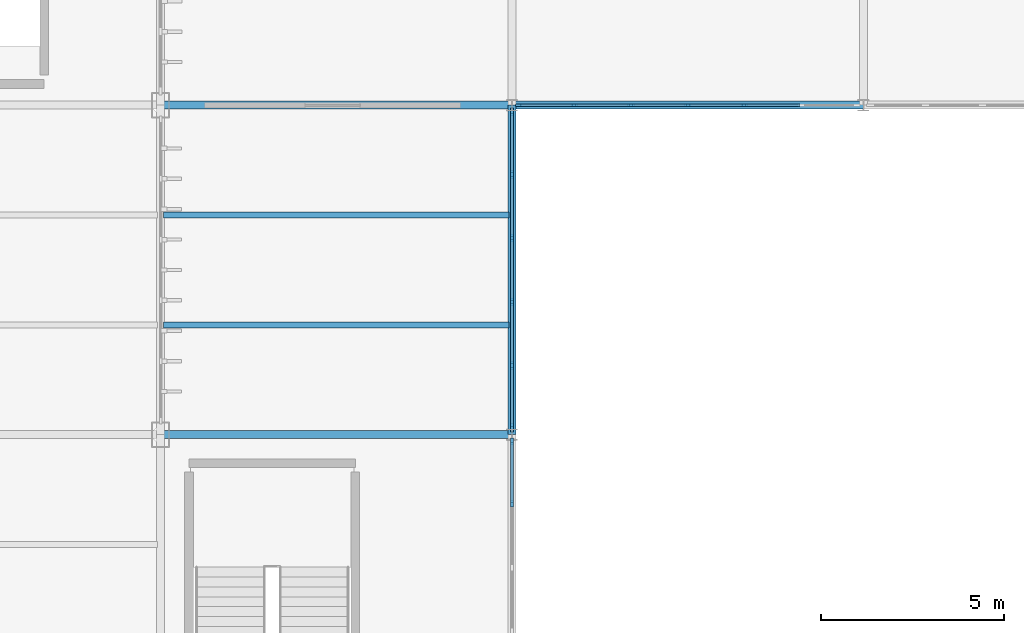
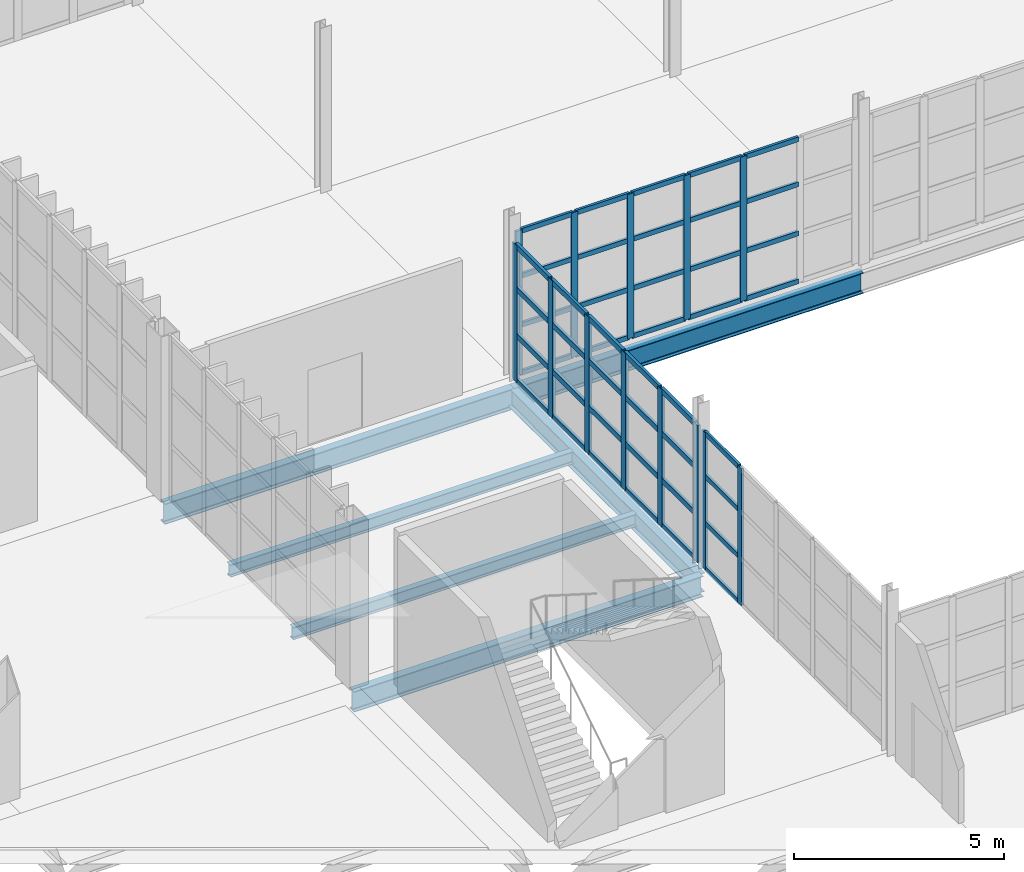
# One storey, part 62 of 120: 57 members, 6 beams, 3 elements without a shape of their own.
"""IFC4 building model written with IfcOpenShell, lengths in metres."""

from ifc_helpers import new_model, si_unit, direction, frame, origin, origin_2d, place, context, subcontext, project, spatial, rectangle, i_section, extrude, material, layer, layer_set, material_profile, profile_set, type_object, element, aggregate, save


model = new_model("IFC4")

# Units and contexts
model_context = context("Model", 3, precision=1e-05, world=origin(), true_north=direction((0.0, 1.0)))
body_context = subcontext(model_context, "Body", "Model", "MODEL_VIEW")
ifc_project = project(units=[si_unit("LENGTHUNIT", "METRE"), si_unit("AREAUNIT", "SQUARE_METRE"), si_unit("VOLUMEUNIT", "CUBIC_METRE"), si_unit("PLANEANGLEUNIT", "RADIAN"), si_unit("MASSUNIT", "GRAM", prefix="KILO")], contexts=[model_context])

# Site, building, storey
site_placement = place(None, origin())
site = spatial("IfcSite", under=ifc_project, at=site_placement, CompositionType="ELEMENT")
building_placement = place(site_placement, origin())
building = spatial("IfcBuilding", under=site, at=building_placement, Name="Zarnetskaya Central Station", CompositionType="ELEMENT")
storey_placement = place(building_placement, frame((0.0, 0.0, 5.39990234375)))
storey = spatial("IfcBuildingStorey", under=building, at=storey_placement, Name="L01", CompositionType="ELEMENT", Elevation=5.39990234375)

# Beams
ifc_material_1 = material(Name="Steel S355", Category="steel")
ifc_material_profile_1 = material_profile(ifc_material_1, i_section(OverallWidth=0.169921875, OverallDepth=0.360107421875, WebThickness=0.008056640625, FlangeThickness=0.0126953125, FilletRadius=0.01806640625, at=origin_2d()), Name="IPE 360")
ifc_profile_set_1 = profile_set([ifc_material_profile_1], Name="Steel S355")
beam_type_1 = type_object("IfcBeamType", Name="BM-SEC-360", PredefinedType="BEAM", material=ifc_profile_set_1)
for number, where, z_axis, x_axis, name in (
    (1, (124.8798828125, 25.199951171875, -0.4599609375), (1.0, 0.0, 0.0), (0.0, 1.0, 0.0), "Secondary floor beam SEC-L01-Z512-PQ-45-1"),
    (2, (124.8798828125, 28.199951171875, -0.4599609375), (1.0, 0.0, 0.0), (0.0, 1.0, 0.0), "Secondary floor beam SEC-L01-Z512-PQ-45-2"),
):
    element("IfcBeam", number, at=place(storey_placement, frame(where, z_axis=z_axis, x_axis=x_axis)), inside=storey, type_object=beam_type_1, Name=name, PredefinedType="BEAM", context=body_context, shape_type="SweptSolid", body=[
        extrude(i_section(OverallWidth=0.169921875, OverallDepth=0.360107421875, WebThickness=0.008056640625, FlangeThickness=0.0126953125, FilletRadius=0.01806640625, at=origin_2d()), origin(), (0.0, 0.0, 1.0), 9.440185546875),
    ])

# Curtain wall, members
ifc_material_2 = material(Name="Low-E insulated glass", Category="glass")
ifc_layer = layer(ifc_material_2, 0.159912109375, Name="Low-E insulated glass", Category="glass")
ifc_layer_set = layer_set([ifc_layer], Name="Low-E insulated glass")
curtain_wall_type = type_object("IfcCurtainWallType", Name="CW-SYS-06", PredefinedType="USERDEFINED", material=ifc_layer_set)
curtain_wall_1_placement = place(storey_placement, origin())
curtain_wall_1 = element("IfcCurtainWall", 3, at=curtain_wall_1_placement, inside=storey, type_object=curtain_wall_type, Name="Curtain wall CW-L01-131", ObjectType="CURTAIN WALL", PredefinedType="USERDEFINED")
ifc_material_3 = material(Name="Anodised aluminium", Category="aluminium")
ifc_material_profile_2 = material_profile(ifc_material_3, rectangle(XDim=0.070068359375, YDim=0.179931640625, at=origin_2d()), Name="ALU MULL 70x180")
ifc_profile_set_2 = profile_set([ifc_material_profile_2], Name="Anodised aluminium")
member_type_1 = type_object("IfcMemberType", Name="CW-MULL-180", PredefinedType="MULLION", material=ifc_profile_set_2)
member_1_placement = place(storey_placement, frame((140.75, 31.199951171875, 0.0), z_axis=(0.0, 0.0, 1.0), x_axis=(0.0, -1.0, 0.0)))
member_1 = element("IfcMember", 4, at=member_1_placement, type_object=member_type_1, Name="CW-02 mullion 3", PredefinedType="MULLION", context=body_context, shape_type="SweptSolid", body=[
    extrude(rectangle(XDim=0.070068359375, YDim=0.179931640625, at=origin_2d()), origin(), (0.0, 0.0, 1.0), 4.2001953125),
])
member_2_placement = place(storey_placement, frame((139.199951171875, 31.199951171875, 0.0), z_axis=(0.0, 0.0, 1.0), x_axis=(0.0, -1.0, 0.0)))
member_2 = element("IfcMember", 5, at=member_2_placement, type_object=member_type_1, Name="CW-02 mullion 4", PredefinedType="MULLION", context=body_context, shape_type="SweptSolid", body=[
    extrude(rectangle(XDim=0.070068359375, YDim=0.179931640625, at=origin_2d()), origin(), (0.0, 0.0, 1.0), 4.2001953125),
])
member_3_placement = place(storey_placement, frame((137.64990234375, 31.199951171875, 0.0), z_axis=(0.0, 0.0, 1.0), x_axis=(0.0, -1.0, 0.0)))
member_3 = element("IfcMember", 6, at=member_3_placement, type_object=member_type_1, Name="CW-02 mullion 5", PredefinedType="MULLION", context=body_context, shape_type="SweptSolid", body=[
    extrude(rectangle(XDim=0.070068359375, YDim=0.179931640625, at=origin_2d()), origin(), (0.0, 0.0, 1.0), 4.2001953125),
])
member_4_placement = place(storey_placement, frame((136.10009765625, 31.199951171875, 0.0), z_axis=(0.0, 0.0, 1.0), x_axis=(0.0, -1.0, 0.0)))
member_4 = element("IfcMember", 7, at=member_4_placement, type_object=member_type_1, Name="CW-02 mullion 6", PredefinedType="MULLION", context=body_context, shape_type="SweptSolid", body=[
    extrude(rectangle(XDim=0.070068359375, YDim=0.179931640625, at=origin_2d()), origin(), (0.0, 0.0, 1.0), 4.2001953125),
])
member_5_placement = place(storey_placement, frame((134.5849609375, 31.199951171875, 0.0), z_axis=(0.0, 0.0, 1.0), x_axis=(0.0, -1.0, 0.0)))
member_5 = element("IfcMember", 8, at=member_5_placement, type_object=member_type_1, Name="CW-02 mullion 7", PredefinedType="MULLION", context=body_context, shape_type="SweptSolid", body=[
    extrude(rectangle(XDim=0.070068359375, YDim=0.179931640625, at=origin_2d()), origin(), (0.0, 0.0, 1.0), 4.2001953125),
])

curtain_wall_2_placement = place(storey_placement, origin())
curtain_wall_2 = element("IfcCurtainWall", 9, at=curtain_wall_2_placement, inside=storey, type_object=curtain_wall_type, Name="Curtain wall CW-L01-133", ObjectType="CURTAIN WALL", PredefinedType="USERDEFINED")
member_6_placement = place(storey_placement, frame((134.39990234375, 22.014892578125, 0.0), z_axis=(0.0, 0.0, 1.0), x_axis=(1.0, 0.0, 0.0)))
member_6 = element("IfcMember", 10, at=member_6_placement, type_object=member_type_1, Name="CW-02 mullion 1", PredefinedType="MULLION", context=body_context, shape_type="SweptSolid", body=[
    extrude(rectangle(XDim=0.070068359375, YDim=0.179931640625, at=origin_2d()), origin(), (0.0, 0.0, 1.0), 3.989990234375),
])
member_7_placement = place(storey_placement, frame((134.39990234375, 20.31005859375, 0.0), z_axis=(0.0, 0.0, 1.0), x_axis=(1.0, 0.0, 0.0)))
member_7 = element("IfcMember", 11, at=member_7_placement, type_object=member_type_1, Name="CW-02 mullion 2", PredefinedType="MULLION", context=body_context, shape_type="SweptSolid", body=[
    extrude(rectangle(XDim=0.070068359375, YDim=0.179931640625, at=origin_2d()), origin(), (0.0, 0.0, 1.0), 3.989990234375),
])

curtain_wall_3_placement = place(storey_placement, origin())
curtain_wall_3 = element("IfcCurtainWall", 12, at=curtain_wall_3_placement, inside=storey, type_object=curtain_wall_type, Name="Curtain wall CW-L01-132", ObjectType="CURTAIN WALL", PredefinedType="USERDEFINED")
ifc_material_profile_3 = material_profile(ifc_material_3, rectangle(XDim=0.080078125, YDim=0.219970703125, at=origin_2d()), Name="ALU MULL 80x220")
ifc_profile_set_3 = profile_set([ifc_material_profile_3], Name="Anodised aluminium")
member_type_2 = type_object("IfcMemberType", Name="CW-MULL-220", PredefinedType="MULLION", material=ifc_profile_set_3)
member_8_placement = place(storey_placement, frame((134.39990234375, 31.010009765625, 0.0), z_axis=(0.0, 0.0, 1.0), x_axis=(1.0, 0.0, 0.0)))
member_8 = element("IfcMember", 13, at=member_8_placement, type_object=member_type_2, Name="CW-02 mullion 1", PredefinedType="MULLION", context=body_context, shape_type="SweptSolid", body=[
    extrude(rectangle(XDim=0.080078125, YDim=0.219970703125, at=origin_2d()), origin(), (0.0, 0.0, 1.0), 3.989990234375),
])
member_9_placement = place(storey_placement, frame((134.39990234375, 29.31005859375, 0.0), z_axis=(0.0, 0.0, 1.0), x_axis=(1.0, 0.0, 0.0)))
member_9 = element("IfcMember", 14, at=member_9_placement, type_object=member_type_2, Name="CW-02 mullion 2", PredefinedType="MULLION", context=body_context, shape_type="SweptSolid", body=[
    extrude(rectangle(XDim=0.080078125, YDim=0.219970703125, at=origin_2d()), origin(), (0.0, 0.0, 1.0), 3.989990234375),
])
member_10_placement = place(storey_placement, frame((134.39990234375, 27.570068359375, 0.0), z_axis=(0.0, 0.0, 1.0), x_axis=(1.0, 0.0, 0.0)))
member_10 = element("IfcMember", 15, at=member_10_placement, type_object=member_type_2, Name="CW-02 mullion 3", PredefinedType="MULLION", context=body_context, shape_type="SweptSolid", body=[
    extrude(rectangle(XDim=0.080078125, YDim=0.219970703125, at=origin_2d()), origin(), (0.0, 0.0, 1.0), 3.989990234375),
])
member_11_placement = place(storey_placement, frame((134.39990234375, 25.830078125, 0.0), z_axis=(0.0, 0.0, 1.0), x_axis=(1.0, 0.0, 0.0)))
member_11 = element("IfcMember", 16, at=member_11_placement, type_object=member_type_2, Name="CW-02 mullion 4", PredefinedType="MULLION", context=body_context, shape_type="SweptSolid", body=[
    extrude(rectangle(XDim=0.080078125, YDim=0.219970703125, at=origin_2d()), origin(), (0.0, 0.0, 1.0), 3.989990234375),
])
member_12_placement = place(storey_placement, frame((134.39990234375, 24.090087890625, 0.0), z_axis=(0.0, 0.0, 1.0), x_axis=(1.0, 0.0, 0.0)))
member_12 = element("IfcMember", 17, at=member_12_placement, type_object=member_type_2, Name="CW-02 mullion 5", PredefinedType="MULLION", context=body_context, shape_type="SweptSolid", body=[
    extrude(rectangle(XDim=0.080078125, YDim=0.219970703125, at=origin_2d()), origin(), (0.0, 0.0, 1.0), 3.989990234375),
])
member_13_placement = place(storey_placement, frame((134.39990234375, 22.389892578125, 0.0), z_axis=(0.0, 0.0, 1.0), x_axis=(1.0, 0.0, 0.0)))
member_13 = element("IfcMember", 18, at=member_13_placement, type_object=member_type_2, Name="CW-02 mullion 6", PredefinedType="MULLION", context=body_context, shape_type="SweptSolid", body=[
    extrude(rectangle(XDim=0.080078125, YDim=0.219970703125, at=origin_2d()), origin(), (0.0, 0.0, 1.0), 3.989990234375),
])

# Member
ifc_material_profile_4 = material_profile(ifc_material_3, rectangle(XDim=0.070068359375, YDim=0.139892578125, at=origin_2d()), Name="ALU TRAN 70x140")
ifc_profile_set_4 = profile_set([ifc_material_profile_4], Name="Anodised aluminium")
member_type_3 = type_object("IfcMemberType", Name="CW-TRAN-140", PredefinedType="USERDEFINED", material=ifc_profile_set_4)
member_14_placement = place(storey_placement, frame((142.264892578125, 31.199951171875, 0.03515625), z_axis=(-1.0, 0.0, 0.0), x_axis=(0.0, -1.0, 0.0)))
member_14 = element("IfcMember", 19, at=member_14_placement, type_object=member_type_3, Name="CW-02 transom 2.1", ObjectType="TRANSOM", PredefinedType="USERDEFINED", context=body_context, shape_type="SweptSolid", body=[
    extrude(rectangle(XDim=0.070068359375, YDim=0.139892578125, at=origin_2d()), origin(), (0.0, 0.0, 1.0), 1.47998046875),
])

member_15_placement = place(storey_placement, frame((142.264892578125, 31.199951171875, 1.427978515625), z_axis=(-1.0, 0.0, 0.0), x_axis=(0.0, -1.0, 0.0)))
member_15 = element("IfcMember", 20, at=member_15_placement, type_object=member_type_3, Name="CW-02 transom 2.2", ObjectType="TRANSOM", PredefinedType="USERDEFINED", context=body_context, shape_type="SweptSolid", body=[
    extrude(rectangle(XDim=0.070068359375, YDim=0.139892578125, at=origin_2d()), origin(), (0.0, 0.0, 1.0), 1.47998046875),
])

member_16_placement = place(storey_placement, frame((142.264892578125, 31.199951171875, 2.856201171875), z_axis=(-1.0, 0.0, 0.0), x_axis=(0.0, -1.0, 0.0)))
member_16 = element("IfcMember", 21, at=member_16_placement, type_object=member_type_3, Name="CW-02 transom 2.3", ObjectType="TRANSOM", PredefinedType="USERDEFINED", context=body_context, shape_type="SweptSolid", body=[
    extrude(rectangle(XDim=0.070068359375, YDim=0.139892578125, at=origin_2d()), origin(), (0.0, 0.0, 1.0), 1.47998046875),
])

member_17_placement = place(storey_placement, frame((142.264892578125, 31.199951171875, 4.1650390625), z_axis=(-1.0, 0.0, 0.0), x_axis=(0.0, -1.0, 0.0)))
member_17 = element("IfcMember", 22, at=member_17_placement, type_object=member_type_3, Name="CW-02 transom 2.4", ObjectType="TRANSOM", PredefinedType="USERDEFINED", context=body_context, shape_type="SweptSolid", body=[
    extrude(rectangle(XDim=0.070068359375, YDim=0.139892578125, at=origin_2d()), origin(), (0.0, 0.0, 1.0), 1.47998046875),
])

member_18_placement = place(storey_placement, frame((140.715087890625, 31.199951171875, 0.03515625), z_axis=(-1.0, 0.0, 0.0), x_axis=(0.0, -1.0, 0.0)))
member_18 = element("IfcMember", 23, at=member_18_placement, type_object=member_type_3, Name="CW-02 transom 3.1", ObjectType="TRANSOM", PredefinedType="USERDEFINED", context=body_context, shape_type="SweptSolid", body=[
    extrude(rectangle(XDim=0.070068359375, YDim=0.139892578125, at=origin_2d()), origin(), (0.0, 0.0, 1.0), 1.47998046875),
])

member_19_placement = place(storey_placement, frame((140.715087890625, 31.199951171875, 1.427978515625), z_axis=(-1.0, 0.0, 0.0), x_axis=(0.0, -1.0, 0.0)))
member_19 = element("IfcMember", 24, at=member_19_placement, type_object=member_type_3, Name="CW-02 transom 3.2", ObjectType="TRANSOM", PredefinedType="USERDEFINED", context=body_context, shape_type="SweptSolid", body=[
    extrude(rectangle(XDim=0.070068359375, YDim=0.139892578125, at=origin_2d()), origin(), (0.0, 0.0, 1.0), 1.47998046875),
])

member_20_placement = place(storey_placement, frame((140.715087890625, 31.199951171875, 2.856201171875), z_axis=(-1.0, 0.0, 0.0), x_axis=(0.0, -1.0, 0.0)))
member_20 = element("IfcMember", 25, at=member_20_placement, type_object=member_type_3, Name="CW-02 transom 3.3", ObjectType="TRANSOM", PredefinedType="USERDEFINED", context=body_context, shape_type="SweptSolid", body=[
    extrude(rectangle(XDim=0.070068359375, YDim=0.139892578125, at=origin_2d()), origin(), (0.0, 0.0, 1.0), 1.47998046875),
])

member_21_placement = place(storey_placement, frame((140.715087890625, 31.199951171875, 4.1650390625), z_axis=(-1.0, 0.0, 0.0), x_axis=(0.0, -1.0, 0.0)))
member_21 = element("IfcMember", 26, at=member_21_placement, type_object=member_type_3, Name="CW-02 transom 3.4", ObjectType="TRANSOM", PredefinedType="USERDEFINED", context=body_context, shape_type="SweptSolid", body=[
    extrude(rectangle(XDim=0.070068359375, YDim=0.139892578125, at=origin_2d()), origin(), (0.0, 0.0, 1.0), 1.47998046875),
])

member_22_placement = place(storey_placement, frame((139.1650390625, 31.199951171875, 0.03515625), z_axis=(-1.0, 0.0, 0.0), x_axis=(0.0, -1.0, 0.0)))
member_22 = element("IfcMember", 27, at=member_22_placement, type_object=member_type_3, Name="CW-02 transom 4.1", ObjectType="TRANSOM", PredefinedType="USERDEFINED", context=body_context, shape_type="SweptSolid", body=[
    extrude(rectangle(XDim=0.070068359375, YDim=0.139892578125, at=origin_2d()), origin(), (0.0, 0.0, 1.0), 1.47998046875),
])

member_23_placement = place(storey_placement, frame((139.1650390625, 31.199951171875, 1.427978515625), z_axis=(-1.0, 0.0, 0.0), x_axis=(0.0, -1.0, 0.0)))
member_23 = element("IfcMember", 28, at=member_23_placement, type_object=member_type_3, Name="CW-02 transom 4.2", ObjectType="TRANSOM", PredefinedType="USERDEFINED", context=body_context, shape_type="SweptSolid", body=[
    extrude(rectangle(XDim=0.070068359375, YDim=0.139892578125, at=origin_2d()), origin(), (0.0, 0.0, 1.0), 1.47998046875),
])

member_24_placement = place(storey_placement, frame((139.1650390625, 31.199951171875, 2.856201171875), z_axis=(-1.0, 0.0, 0.0), x_axis=(0.0, -1.0, 0.0)))
member_24 = element("IfcMember", 29, at=member_24_placement, type_object=member_type_3, Name="CW-02 transom 4.3", ObjectType="TRANSOM", PredefinedType="USERDEFINED", context=body_context, shape_type="SweptSolid", body=[
    extrude(rectangle(XDim=0.070068359375, YDim=0.139892578125, at=origin_2d()), origin(), (0.0, 0.0, 1.0), 1.47998046875),
])

member_25_placement = place(storey_placement, frame((139.1650390625, 31.199951171875, 4.1650390625), z_axis=(-1.0, 0.0, 0.0), x_axis=(0.0, -1.0, 0.0)))
member_25 = element("IfcMember", 30, at=member_25_placement, type_object=member_type_3, Name="CW-02 transom 4.4", ObjectType="TRANSOM", PredefinedType="USERDEFINED", context=body_context, shape_type="SweptSolid", body=[
    extrude(rectangle(XDim=0.070068359375, YDim=0.139892578125, at=origin_2d()), origin(), (0.0, 0.0, 1.0), 1.47998046875),
])

member_26_placement = place(storey_placement, frame((137.614990234375, 31.199951171875, 0.03515625), z_axis=(-1.0, 0.0, 0.0), x_axis=(0.0, -1.0, 0.0)))
member_26 = element("IfcMember", 31, at=member_26_placement, type_object=member_type_3, Name="CW-02 transom 5.1", ObjectType="TRANSOM", PredefinedType="USERDEFINED", context=body_context, shape_type="SweptSolid", body=[
    extrude(rectangle(XDim=0.070068359375, YDim=0.139892578125, at=origin_2d()), origin(), (0.0, 0.0, 1.0), 1.47998046875),
])

member_27_placement = place(storey_placement, frame((137.614990234375, 31.199951171875, 1.427978515625), z_axis=(-1.0, 0.0, 0.0), x_axis=(0.0, -1.0, 0.0)))
member_27 = element("IfcMember", 32, at=member_27_placement, type_object=member_type_3, Name="CW-02 transom 5.2", ObjectType="TRANSOM", PredefinedType="USERDEFINED", context=body_context, shape_type="SweptSolid", body=[
    extrude(rectangle(XDim=0.070068359375, YDim=0.139892578125, at=origin_2d()), origin(), (0.0, 0.0, 1.0), 1.47998046875),
])

member_28_placement = place(storey_placement, frame((137.614990234375, 31.199951171875, 2.856201171875), z_axis=(-1.0, 0.0, 0.0), x_axis=(0.0, -1.0, 0.0)))
member_28 = element("IfcMember", 33, at=member_28_placement, type_object=member_type_3, Name="CW-02 transom 5.3", ObjectType="TRANSOM", PredefinedType="USERDEFINED", context=body_context, shape_type="SweptSolid", body=[
    extrude(rectangle(XDim=0.070068359375, YDim=0.139892578125, at=origin_2d()), origin(), (0.0, 0.0, 1.0), 1.47998046875),
])

member_29_placement = place(storey_placement, frame((137.614990234375, 31.199951171875, 4.1650390625), z_axis=(-1.0, 0.0, 0.0), x_axis=(0.0, -1.0, 0.0)))
member_29 = element("IfcMember", 34, at=member_29_placement, type_object=member_type_3, Name="CW-02 transom 5.4", ObjectType="TRANSOM", PredefinedType="USERDEFINED", context=body_context, shape_type="SweptSolid", body=[
    extrude(rectangle(XDim=0.070068359375, YDim=0.139892578125, at=origin_2d()), origin(), (0.0, 0.0, 1.0), 1.47998046875),
])

member_30_placement = place(storey_placement, frame((136.06494140625, 31.199951171875, 0.03515625), z_axis=(-1.0, 0.0, 0.0), x_axis=(0.0, -1.0, 0.0)))
member_30 = element("IfcMember", 35, at=member_30_placement, type_object=member_type_3, Name="CW-02 transom 6.1", ObjectType="TRANSOM", PredefinedType="USERDEFINED", context=body_context, shape_type="SweptSolid", body=[
    extrude(rectangle(XDim=0.070068359375, YDim=0.139892578125, at=origin_2d()), origin(), (0.0, 0.0, 1.0), 1.44482421875),
])

member_31_placement = place(storey_placement, frame((136.06494140625, 31.199951171875, 1.427978515625), z_axis=(-1.0, 0.0, 0.0), x_axis=(0.0, -1.0, 0.0)))
member_31 = element("IfcMember", 36, at=member_31_placement, type_object=member_type_3, Name="CW-02 transom 6.2", ObjectType="TRANSOM", PredefinedType="USERDEFINED", context=body_context, shape_type="SweptSolid", body=[
    extrude(rectangle(XDim=0.070068359375, YDim=0.139892578125, at=origin_2d()), origin(), (0.0, 0.0, 1.0), 1.44482421875),
])

member_32_placement = place(storey_placement, frame((136.06494140625, 31.199951171875, 2.856201171875), z_axis=(-1.0, 0.0, 0.0), x_axis=(0.0, -1.0, 0.0)))
member_32 = element("IfcMember", 37, at=member_32_placement, type_object=member_type_3, Name="CW-02 transom 6.3", ObjectType="TRANSOM", PredefinedType="USERDEFINED", context=body_context, shape_type="SweptSolid", body=[
    extrude(rectangle(XDim=0.070068359375, YDim=0.139892578125, at=origin_2d()), origin(), (0.0, 0.0, 1.0), 1.44482421875),
])

member_33_placement = place(storey_placement, frame((136.06494140625, 31.199951171875, 4.1650390625), z_axis=(-1.0, 0.0, 0.0), x_axis=(0.0, -1.0, 0.0)))
member_33 = element("IfcMember", 38, at=member_33_placement, type_object=member_type_3, Name="CW-02 transom 6.4", ObjectType="TRANSOM", PredefinedType="USERDEFINED", context=body_context, shape_type="SweptSolid", body=[
    extrude(rectangle(XDim=0.070068359375, YDim=0.139892578125, at=origin_2d()), origin(), (0.0, 0.0, 1.0), 1.44482421875),
])

aggregate(curtain_wall_1, [member_1, member_2, member_3, member_4, member_5, member_14, member_15, member_16, member_17, member_18, member_19, member_20, member_21, member_22, member_23, member_24, member_25, member_26, member_27, member_28, member_29, member_30, member_31, member_32, member_33])

member_34_placement = place(storey_placement, frame((134.39990234375, 21.97998046875, 0.03515625), z_axis=(0.0, -1.0, 0.0), x_axis=(1.0, 0.0, 0.0)))
member_34 = element("IfcMember", 39, at=member_34_placement, type_object=member_type_3, Name="CW-02 transom 1.1", ObjectType="TRANSOM", PredefinedType="USERDEFINED", context=body_context, shape_type="SweptSolid", body=[
    extrude(rectangle(XDim=0.070068359375, YDim=0.139892578125, at=origin_2d()), origin(), (0.0, 0.0, 1.0), 1.635009765625),
])

member_35_placement = place(storey_placement, frame((134.39990234375, 21.97998046875, 1.357177734375), z_axis=(0.0, -1.0, 0.0), x_axis=(1.0, 0.0, 0.0)))
member_35 = element("IfcMember", 40, at=member_35_placement, type_object=member_type_3, Name="CW-02 transom 1.2", ObjectType="TRANSOM", PredefinedType="USERDEFINED", context=body_context, shape_type="SweptSolid", body=[
    extrude(rectangle(XDim=0.070068359375, YDim=0.139892578125, at=origin_2d()), origin(), (0.0, 0.0, 1.0), 1.635009765625),
])

member_36_placement = place(storey_placement, frame((134.39990234375, 21.97998046875, 2.713134765625), z_axis=(0.0, -1.0, 0.0), x_axis=(1.0, 0.0, 0.0)))
member_36 = element("IfcMember", 41, at=member_36_placement, type_object=member_type_3, Name="CW-02 transom 1.3", ObjectType="TRANSOM", PredefinedType="USERDEFINED", context=body_context, shape_type="SweptSolid", body=[
    extrude(rectangle(XDim=0.070068359375, YDim=0.139892578125, at=origin_2d()), origin(), (0.0, 0.0, 1.0), 1.635009765625),
])

member_37_placement = place(storey_placement, frame((134.39990234375, 21.97998046875, 3.955078125), z_axis=(0.0, -1.0, 0.0), x_axis=(1.0, 0.0, 0.0)))
member_37 = element("IfcMember", 42, at=member_37_placement, type_object=member_type_3, Name="CW-02 transom 1.4", ObjectType="TRANSOM", PredefinedType="USERDEFINED", context=body_context, shape_type="SweptSolid", body=[
    extrude(rectangle(XDim=0.070068359375, YDim=0.139892578125, at=origin_2d()), origin(), (0.0, 0.0, 1.0), 1.635009765625),
])

aggregate(curtain_wall_2, [member_6, member_7, member_34, member_35, member_36, member_37])

ifc_material_profile_5 = material_profile(ifc_material_3, rectangle(XDim=0.080078125, YDim=0.159912109375, at=origin_2d()), Name="ALU TRAN 80x160")
ifc_profile_set_5 = profile_set([ifc_material_profile_5], Name="Anodised aluminium")
member_type_4 = type_object("IfcMemberType", Name="CW-TRAN-160", PredefinedType="USERDEFINED", material=ifc_profile_set_5)
member_38_placement = place(storey_placement, frame((134.39990234375, 30.969970703125, 0.0400390625), z_axis=(0.0, -1.0, 0.0), x_axis=(1.0, 0.0, 0.0)))
member_38 = element("IfcMember", 43, at=member_38_placement, type_object=member_type_4, Name="CW-02 transom 1.1", ObjectType="TRANSOM", PredefinedType="USERDEFINED", context=body_context, shape_type="SweptSolid", body=[
    extrude(rectangle(XDim=0.080078125, YDim=0.159912109375, at=origin_2d()), origin(), (0.0, 0.0, 1.0), 1.619873046875),
])

member_39_placement = place(storey_placement, frame((134.39990234375, 30.969970703125, 1.357177734375), z_axis=(0.0, -1.0, 0.0), x_axis=(1.0, 0.0, 0.0)))
member_39 = element("IfcMember", 44, at=member_39_placement, type_object=member_type_4, Name="CW-02 transom 1.2", ObjectType="TRANSOM", PredefinedType="USERDEFINED", context=body_context, shape_type="SweptSolid", body=[
    extrude(rectangle(XDim=0.080078125, YDim=0.159912109375, at=origin_2d()), origin(), (0.0, 0.0, 1.0), 1.619873046875),
])

member_40_placement = place(storey_placement, frame((134.39990234375, 30.969970703125, 2.713134765625), z_axis=(0.0, -1.0, 0.0), x_axis=(1.0, 0.0, 0.0)))
member_40 = element("IfcMember", 45, at=member_40_placement, type_object=member_type_4, Name="CW-02 transom 1.3", ObjectType="TRANSOM", PredefinedType="USERDEFINED", context=body_context, shape_type="SweptSolid", body=[
    extrude(rectangle(XDim=0.080078125, YDim=0.159912109375, at=origin_2d()), origin(), (0.0, 0.0, 1.0), 1.619873046875),
])

member_41_placement = place(storey_placement, frame((134.39990234375, 30.969970703125, 3.9501953125), z_axis=(0.0, -1.0, 0.0), x_axis=(1.0, 0.0, 0.0)))
member_41 = element("IfcMember", 46, at=member_41_placement, type_object=member_type_4, Name="CW-02 transom 1.4", ObjectType="TRANSOM", PredefinedType="USERDEFINED", context=body_context, shape_type="SweptSolid", body=[
    extrude(rectangle(XDim=0.080078125, YDim=0.159912109375, at=origin_2d()), origin(), (0.0, 0.0, 1.0), 1.619873046875),
])

member_42_placement = place(storey_placement, frame((134.39990234375, 29.27001953125, 0.0400390625), z_axis=(0.0, -1.0, 0.0), x_axis=(1.0, 0.0, 0.0)))
member_42 = element("IfcMember", 47, at=member_42_placement, type_object=member_type_4, Name="CW-02 transom 2.1", ObjectType="TRANSOM", PredefinedType="USERDEFINED", context=body_context, shape_type="SweptSolid", body=[
    extrude(rectangle(XDim=0.080078125, YDim=0.159912109375, at=origin_2d()), origin(), (0.0, 0.0, 1.0), 1.659912109375),
])

member_43_placement = place(storey_placement, frame((134.39990234375, 29.27001953125, 1.357177734375), z_axis=(0.0, -1.0, 0.0), x_axis=(1.0, 0.0, 0.0)))
member_43 = element("IfcMember", 48, at=member_43_placement, type_object=member_type_4, Name="CW-02 transom 2.2", ObjectType="TRANSOM", PredefinedType="USERDEFINED", context=body_context, shape_type="SweptSolid", body=[
    extrude(rectangle(XDim=0.080078125, YDim=0.159912109375, at=origin_2d()), origin(), (0.0, 0.0, 1.0), 1.659912109375),
])

member_44_placement = place(storey_placement, frame((134.39990234375, 29.27001953125, 2.713134765625), z_axis=(0.0, -1.0, 0.0), x_axis=(1.0, 0.0, 0.0)))
member_44 = element("IfcMember", 49, at=member_44_placement, type_object=member_type_4, Name="CW-02 transom 2.3", ObjectType="TRANSOM", PredefinedType="USERDEFINED", context=body_context, shape_type="SweptSolid", body=[
    extrude(rectangle(XDim=0.080078125, YDim=0.159912109375, at=origin_2d()), origin(), (0.0, 0.0, 1.0), 1.659912109375),
])

member_45_placement = place(storey_placement, frame((134.39990234375, 29.27001953125, 3.9501953125), z_axis=(0.0, -1.0, 0.0), x_axis=(1.0, 0.0, 0.0)))
member_45 = element("IfcMember", 50, at=member_45_placement, type_object=member_type_4, Name="CW-02 transom 2.4", ObjectType="TRANSOM", PredefinedType="USERDEFINED", context=body_context, shape_type="SweptSolid", body=[
    extrude(rectangle(XDim=0.080078125, YDim=0.159912109375, at=origin_2d()), origin(), (0.0, 0.0, 1.0), 1.659912109375),
])

member_46_placement = place(storey_placement, frame((134.39990234375, 27.530029296875, 0.0400390625), z_axis=(0.0, -1.0, 0.0), x_axis=(1.0, 0.0, 0.0)))
member_46 = element("IfcMember", 51, at=member_46_placement, type_object=member_type_4, Name="CW-02 transom 3.1", ObjectType="TRANSOM", PredefinedType="USERDEFINED", context=body_context, shape_type="SweptSolid", body=[
    extrude(rectangle(XDim=0.080078125, YDim=0.159912109375, at=origin_2d()), origin(), (0.0, 0.0, 1.0), 1.659912109375),
])

member_47_placement = place(storey_placement, frame((134.39990234375, 27.530029296875, 1.357177734375), z_axis=(0.0, -1.0, 0.0), x_axis=(1.0, 0.0, 0.0)))
member_47 = element("IfcMember", 52, at=member_47_placement, type_object=member_type_4, Name="CW-02 transom 3.2", ObjectType="TRANSOM", PredefinedType="USERDEFINED", context=body_context, shape_type="SweptSolid", body=[
    extrude(rectangle(XDim=0.080078125, YDim=0.159912109375, at=origin_2d()), origin(), (0.0, 0.0, 1.0), 1.659912109375),
])

member_48_placement = place(storey_placement, frame((134.39990234375, 27.530029296875, 2.713134765625), z_axis=(0.0, -1.0, 0.0), x_axis=(1.0, 0.0, 0.0)))
member_48 = element("IfcMember", 53, at=member_48_placement, type_object=member_type_4, Name="CW-02 transom 3.3", ObjectType="TRANSOM", PredefinedType="USERDEFINED", context=body_context, shape_type="SweptSolid", body=[
    extrude(rectangle(XDim=0.080078125, YDim=0.159912109375, at=origin_2d()), origin(), (0.0, 0.0, 1.0), 1.659912109375),
])

member_49_placement = place(storey_placement, frame((134.39990234375, 27.530029296875, 3.9501953125), z_axis=(0.0, -1.0, 0.0), x_axis=(1.0, 0.0, 0.0)))
member_49 = element("IfcMember", 54, at=member_49_placement, type_object=member_type_4, Name="CW-02 transom 3.4", ObjectType="TRANSOM", PredefinedType="USERDEFINED", context=body_context, shape_type="SweptSolid", body=[
    extrude(rectangle(XDim=0.080078125, YDim=0.159912109375, at=origin_2d()), origin(), (0.0, 0.0, 1.0), 1.659912109375),
])

member_50_placement = place(storey_placement, frame((134.39990234375, 25.7900390625, 0.0400390625), z_axis=(0.0, -1.0, 0.0), x_axis=(1.0, 0.0, 0.0)))
member_50 = element("IfcMember", 55, at=member_50_placement, type_object=member_type_4, Name="CW-02 transom 4.1", ObjectType="TRANSOM", PredefinedType="USERDEFINED", context=body_context, shape_type="SweptSolid", body=[
    extrude(rectangle(XDim=0.080078125, YDim=0.159912109375, at=origin_2d()), origin(), (0.0, 0.0, 1.0), 1.66015625),
])

member_51_placement = place(storey_placement, frame((134.39990234375, 25.7900390625, 1.357177734375), z_axis=(0.0, -1.0, 0.0), x_axis=(1.0, 0.0, 0.0)))
member_51 = element("IfcMember", 56, at=member_51_placement, type_object=member_type_4, Name="CW-02 transom 4.2", ObjectType="TRANSOM", PredefinedType="USERDEFINED", context=body_context, shape_type="SweptSolid", body=[
    extrude(rectangle(XDim=0.080078125, YDim=0.159912109375, at=origin_2d()), origin(), (0.0, 0.0, 1.0), 1.66015625),
])

member_52_placement = place(storey_placement, frame((134.39990234375, 25.7900390625, 2.713134765625), z_axis=(0.0, -1.0, 0.0), x_axis=(1.0, 0.0, 0.0)))
member_52 = element("IfcMember", 57, at=member_52_placement, type_object=member_type_4, Name="CW-02 transom 4.3", ObjectType="TRANSOM", PredefinedType="USERDEFINED", context=body_context, shape_type="SweptSolid", body=[
    extrude(rectangle(XDim=0.080078125, YDim=0.159912109375, at=origin_2d()), origin(), (0.0, 0.0, 1.0), 1.66015625),
])

member_53_placement = place(storey_placement, frame((134.39990234375, 25.7900390625, 3.9501953125), z_axis=(0.0, -1.0, 0.0), x_axis=(1.0, 0.0, 0.0)))
member_53 = element("IfcMember", 58, at=member_53_placement, type_object=member_type_4, Name="CW-02 transom 4.4", ObjectType="TRANSOM", PredefinedType="USERDEFINED", context=body_context, shape_type="SweptSolid", body=[
    extrude(rectangle(XDim=0.080078125, YDim=0.159912109375, at=origin_2d()), origin(), (0.0, 0.0, 1.0), 1.66015625),
])

member_54_placement = place(storey_placement, frame((134.39990234375, 24.050048828125, 0.0400390625), z_axis=(0.0, -1.0, 0.0), x_axis=(1.0, 0.0, 0.0)))
member_54 = element("IfcMember", 59, at=member_54_placement, type_object=member_type_4, Name="CW-02 transom 5.1", ObjectType="TRANSOM", PredefinedType="USERDEFINED", context=body_context, shape_type="SweptSolid", body=[
    extrude(rectangle(XDim=0.080078125, YDim=0.159912109375, at=origin_2d()), origin(), (0.0, 0.0, 1.0), 1.6201171875),
])

member_55_placement = place(storey_placement, frame((134.39990234375, 24.050048828125, 1.357177734375), z_axis=(0.0, -1.0, 0.0), x_axis=(1.0, 0.0, 0.0)))
member_55 = element("IfcMember", 60, at=member_55_placement, type_object=member_type_4, Name="CW-02 transom 5.2", ObjectType="TRANSOM", PredefinedType="USERDEFINED", context=body_context, shape_type="SweptSolid", body=[
    extrude(rectangle(XDim=0.080078125, YDim=0.159912109375, at=origin_2d()), origin(), (0.0, 0.0, 1.0), 1.6201171875),
])

member_56_placement = place(storey_placement, frame((134.39990234375, 24.050048828125, 2.713134765625), z_axis=(0.0, -1.0, 0.0), x_axis=(1.0, 0.0, 0.0)))
member_56 = element("IfcMember", 61, at=member_56_placement, type_object=member_type_4, Name="CW-02 transom 5.3", ObjectType="TRANSOM", PredefinedType="USERDEFINED", context=body_context, shape_type="SweptSolid", body=[
    extrude(rectangle(XDim=0.080078125, YDim=0.159912109375, at=origin_2d()), origin(), (0.0, 0.0, 1.0), 1.6201171875),
])

member_57_placement = place(storey_placement, frame((134.39990234375, 24.050048828125, 3.9501953125), z_axis=(0.0, -1.0, 0.0), x_axis=(1.0, 0.0, 0.0)))
member_57 = element("IfcMember", 62, at=member_57_placement, type_object=member_type_4, Name="CW-02 transom 5.4", ObjectType="TRANSOM", PredefinedType="USERDEFINED", context=body_context, shape_type="SweptSolid", body=[
    extrude(rectangle(XDim=0.080078125, YDim=0.159912109375, at=origin_2d()), origin(), (0.0, 0.0, 1.0), 1.6201171875),
])

aggregate(curtain_wall_3, [member_8, member_9, member_10, member_11, member_12, member_13, member_38, member_39, member_40, member_41, member_42, member_43, member_44, member_45, member_46, member_47, member_48, member_49, member_50, member_51, member_52, member_53, member_54, member_55, member_56, member_57])

# Beams
ifc_material_profile_6 = material_profile(ifc_material_1, i_section(OverallWidth=0.2099609375, OverallDepth=0.550048828125, WebThickness=0.010986328125, FlangeThickness=0.01708984375, FilletRadius=0.02392578125, at=origin_2d()), Name="IPE 550")
ifc_profile_set_6 = profile_set([ifc_material_profile_6], Name="Steel S355")
beam_type_2 = type_object("IfcBeamType", Name="GD-FLR-550", PredefinedType="USERDEFINED", material=ifc_profile_set_6)
beam_1_placement = place(storey_placement, frame((134.39990234375, 22.199951171875, -0.554931640625), z_axis=(0.0, 1.0, 0.0), x_axis=(-1.0, 0.0, 0.0)))
element("IfcBeam", 63, at=beam_1_placement, inside=storey, type_object=beam_type_2, Name="Grid girder GY-L01-Q-45", ObjectType="GIRDER", PredefinedType="USERDEFINED", context=body_context, shape_type="SweptSolid", body=[
    extrude(i_section(OverallWidth=0.2099609375, OverallDepth=0.550048828125, WebThickness=0.010986328125, FlangeThickness=0.01708984375, FilletRadius=0.02392578125, at=origin_2d()), origin(), (0.0, 0.0, 1.0), 9.0),
])
ifc_material_profile_7 = material_profile(ifc_material_1, i_section(OverallWidth=0.219970703125, OverallDepth=0.60009765625, WebThickness=0.011962890625, FlangeThickness=0.01904296875, FilletRadius=0.02392578125, at=origin_2d()), Name="IPE 600")
ifc_profile_set_7 = profile_set([ifc_material_profile_7], Name="Steel S355")
beam_type_3 = type_object("IfcBeamType", Name="GD-FLR-600", PredefinedType="USERDEFINED", material=ifc_profile_set_7)
for number, where, z_axis, x_axis, name in (
    (64, (124.800048828125, 22.199951171875, -0.579833984375), (1.0, 0.0, 0.0), (0.0, 1.0, 0.0), "Grid girder GX-L01-4-PQ"),
    (65, (124.800048828125, 31.199951171875, -0.579833984375), (1.0, 0.0, 0.0), (0.0, 1.0, 0.0), "Grid girder GX-L01-5-PQ"),
):
    element("IfcBeam", number, at=place(storey_placement, frame(where, z_axis=z_axis, x_axis=x_axis)), inside=storey, type_object=beam_type_3, Name=name, ObjectType="GIRDER", PredefinedType="USERDEFINED", context=body_context, shape_type="SweptSolid", body=[
        extrude(i_section(OverallWidth=0.219970703125, OverallDepth=0.60009765625, WebThickness=0.011962890625, FlangeThickness=0.01904296875, FilletRadius=0.02392578125, at=origin_2d()), origin(), (0.0, 0.0, 1.0), 9.599853515625),
    ])
beam_2_placement = place(storey_placement, frame((134.39990234375, 31.199951171875, -0.579833984375), z_axis=(1.0, 0.0, 0.0), x_axis=(0.0, 1.0, 0.0)))
element("IfcBeam", 66, at=beam_2_placement, inside=storey, type_object=beam_type_3, Name="Grid girder GX-L01-5-QR", ObjectType="GIRDER", PredefinedType="USERDEFINED", context=body_context, shape_type="SweptSolid", body=[
    extrude(i_section(OverallWidth=0.219970703125, OverallDepth=0.60009765625, WebThickness=0.011962890625, FlangeThickness=0.01904296875, FilletRadius=0.02392578125, at=origin_2d()), origin(), (0.0, 0.0, 1.0), 9.60009765625),
])

save(model, "model.ifc")
